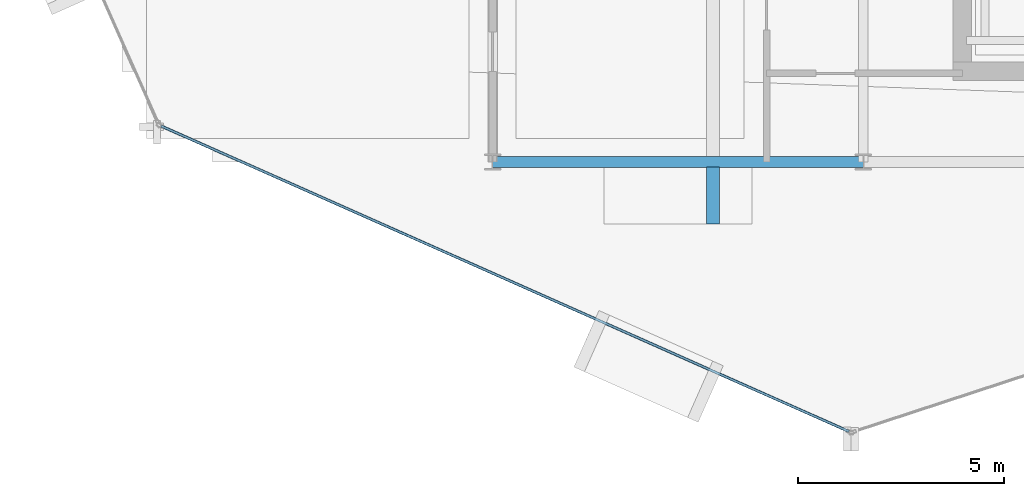
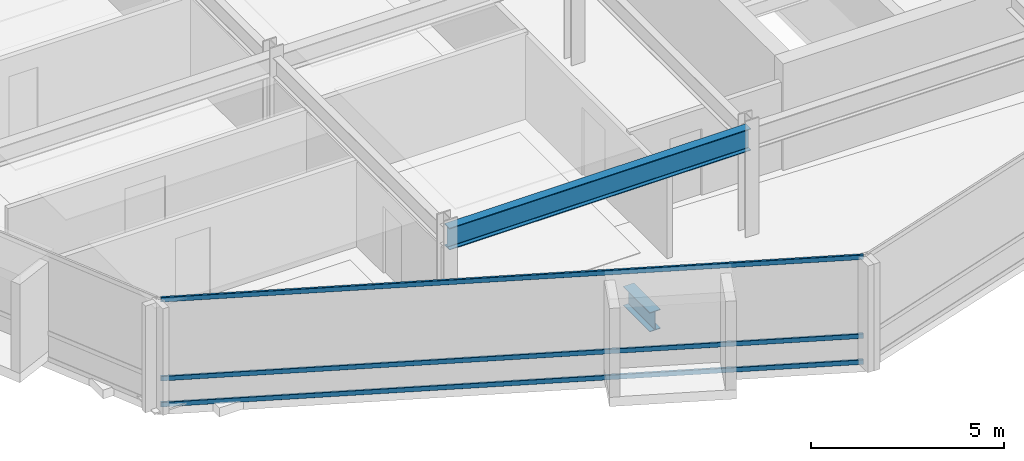
# One storey, part 3 of 27: 3 members, 2 beams, 1 element without a shape of its own.
"""IFC4 building model written with IfcOpenShell, lengths in metres."""

from ifc_helpers import new_model, si_unit, direction, frame, origin, origin_2d, place, context, subcontext, project, spatial, hollow_rectangle, i_section, extrude, material, layer, layer_set, material_profile, profile_set, type_object, element, aggregate, save


model = new_model("IFC4")

# Units and contexts
model_context = context("Model", 3, precision=1e-05, world=origin(), true_north=direction((0.0, 1.0)))
body_context = subcontext(model_context, "Body", "Model", "MODEL_VIEW")
ifc_project = project(units=[si_unit("LENGTHUNIT", "METRE"), si_unit("AREAUNIT", "SQUARE_METRE"), si_unit("VOLUMEUNIT", "CUBIC_METRE"), si_unit("PLANEANGLEUNIT", "RADIAN"), si_unit("MASSUNIT", "GRAM", prefix="KILO")], contexts=[model_context])

# Site, building, storey
site_placement = place(None, origin())
site = spatial("IfcSite", under=ifc_project, at=site_placement, CompositionType="ELEMENT")
building_placement = place(site_placement, origin())
building = spatial("IfcBuilding", under=site, at=building_placement, Name="Solvaryn Broadcast Tower", CompositionType="ELEMENT")
storey_placement = place(building_placement, frame((0.0, 0.0, 232.10009765625)))
storey = spatial("IfcBuildingStorey", under=building, at=storey_placement, Name="L58", CompositionType="ELEMENT", Elevation=232.10009765625)

# Beams
ifc_material_1 = material(Name="Steel ASTM A992 Grade 50", Category="steel")
ifc_material_profile_1 = material_profile(ifc_material_1, i_section(OverallWidth=0.323974609375, OverallDepth=0.611083984375, WebThickness=0.0126953125, FlangeThickness=0.01904296875, FilletRadius=0.014892578125, at=origin_2d()))
ifc_profile_set_1 = profile_set([ifc_material_profile_1], Name="Steel ASTM A992 Grade 50")
beam_type_1 = type_object("IfcBeamType", Name="BM-CANT-TER", PredefinedType="BEAM", material=ifc_profile_set_1)
beam_1_placement = place(storey_placement, frame((23.35009765625, 8.875, -0.585693359375), z_axis=(0.0, -1.0, 0.0), x_axis=(1.0, 0.0, 0.0)))
element("IfcBeam", 1, at=beam_1_placement, inside=storey, type_object=beam_type_1, Name="L58 Bay-Box Cantilever Bracket 1", PredefinedType="BEAM", context=body_context, shape_type="SweptSolid", body=[
    extrude(i_section(OverallWidth=0.323974609375, OverallDepth=0.611083984375, WebThickness=0.0126953125, FlangeThickness=0.01904296875, FilletRadius=0.014892578125, at=origin_2d()), origin(), (0.0, 0.0, 1.0), 1.375),
])
ifc_material_2 = material(Name="Steel ASTM A992 Grade 50", Category="steel")
ifc_material_profile_2 = material_profile(ifc_material_2, i_section(OverallWidth=0.256103515625, OverallDepth=0.693115234375, WebThickness=0.014404296875, FlangeThickness=0.023681640625, FilletRadius=0.01611328125, at=origin_2d()))
ifc_profile_set_2 = profile_set([ifc_material_profile_2], Name="Steel ASTM A992 Grade 50")
beam_type_2 = type_object("IfcBeamType", Name="BM-SP3-W27X114", PredefinedType="USERDEFINED", material=ifc_profile_set_2)
beam_2_placement = place(storey_placement, frame((18.0, 9.0, 3.0234375), z_axis=(1.0, 0.0, 0.0), x_axis=(0.0, 1.0, 0.0)))
element("IfcBeam", 2, at=beam_2_placement, inside=storey, type_object=beam_type_2, Name="L58 Spandrel Beam X (18-27 @ Y=9)", ObjectType="SPANDREL", PredefinedType="USERDEFINED", context=body_context, shape_type="SweptSolid", body=[
    extrude(i_section(OverallWidth=0.256103515625, OverallDepth=0.693115234375, WebThickness=0.014404296875, FlangeThickness=0.023681640625, FilletRadius=0.01611328125, at=origin_2d()), origin(), (0.0, 0.0, 1.0), 9.0),
])

# Curtain wall, members
ifc_material_3 = material(Name="Aluminium and Terracotta Unitised Curtain Wall", Category="masonry")
ifc_layer = layer(ifc_material_3, 0.199951171875)
ifc_layer_set = layer_set([ifc_layer], Name="CW-SYS2-LOWMID")
curtain_wall_type = type_object("IfcCurtainWallType", Name="CW-SYS2-LOWMID", PredefinedType="NOTDEFINED", material=ifc_layer_set)
curtain_wall_placement = place(storey_placement, origin())
curtain_wall = element("IfcCurtainWall", 3, at=curtain_wall_placement, inside=storey, type_object=curtain_wall_type, Name="L58 Curtain Wall DR3", PredefinedType="NOTDEFINED")
ifc_material_4 = material(Name="Anodised Aluminium 6063-T6", Category="aluminium")
ifc_material_profile_3 = material_profile(ifc_material_4, hollow_rectangle(XDim=0.06494140625, YDim=0.14990234375, WallThickness=0.00390625, InnerFilletRadius=0.00390625, OuterFilletRadius=0.008056640625, at=origin_2d()))
ifc_profile_set_3 = profile_set([ifc_material_profile_3], Name="Anodised Aluminium 6063-T6")
member_type = type_object("IfcMemberType", Name="CW-TRN-150", PredefinedType="USERDEFINED", material=ifc_profile_set_3)
member_1_placement = place(storey_placement, frame((9.952880859375, 9.87353515625, 0.02978515625), z_axis=(0.913916761992, -0.405901653299, 0.0), x_axis=(0.405901653299, 0.913916761992, 0.0)))
member_1 = element("IfcMember", 4, at=member_1_placement, type_object=member_type, Name="CWS2 transom 1.1", ObjectType="TRANSOM", PredefinedType="USERDEFINED", context=body_context, shape_type="SweptSolid", body=[
    extrude(hollow_rectangle(XDim=0.06494140625, YDim=0.14990234375, WallThickness=0.00390625, InnerFilletRadius=0.00390625, OuterFilletRadius=0.008056640625, at=origin_2d()), origin(), (0.0, 0.0, 1.0), 18.27099609375),
])
member_2_placement = place(storey_placement, frame((9.952880859375, 9.87353515625, 0.849853515625), z_axis=(0.913916761992, -0.405901653299, 0.0), x_axis=(0.405901653299, 0.913916761992, 0.0)))
member_2 = element("IfcMember", 5, at=member_2_placement, type_object=member_type, Name="CWS2 transom 1.2", ObjectType="TRANSOM", PredefinedType="USERDEFINED", context=body_context, shape_type="SweptSolid", body=[
    extrude(hollow_rectangle(XDim=0.06494140625, YDim=0.14990234375, WallThickness=0.00390625, InnerFilletRadius=0.00390625, OuterFilletRadius=0.008056640625, at=origin_2d()), origin(), (0.0, 0.0, 1.0), 18.27099609375),
])
member_3_placement = place(storey_placement, frame((9.952880859375, 9.87353515625, 3.33984375), z_axis=(0.913916761992, -0.405901653299, 0.0), x_axis=(0.405901653299, 0.913916761992, 0.0)))
member_3 = element("IfcMember", 6, at=member_3_placement, type_object=member_type, Name="CWS2 transom 1.3", ObjectType="TRANSOM", PredefinedType="USERDEFINED", context=body_context, shape_type="SweptSolid", body=[
    extrude(hollow_rectangle(XDim=0.06494140625, YDim=0.14990234375, WallThickness=0.00390625, InnerFilletRadius=0.00390625, OuterFilletRadius=0.008056640625, at=origin_2d()), origin(), (0.0, 0.0, 1.0), 18.27099609375),
])
aggregate(curtain_wall, [member_1, member_2, member_3])

save(model, "model.ifc")
